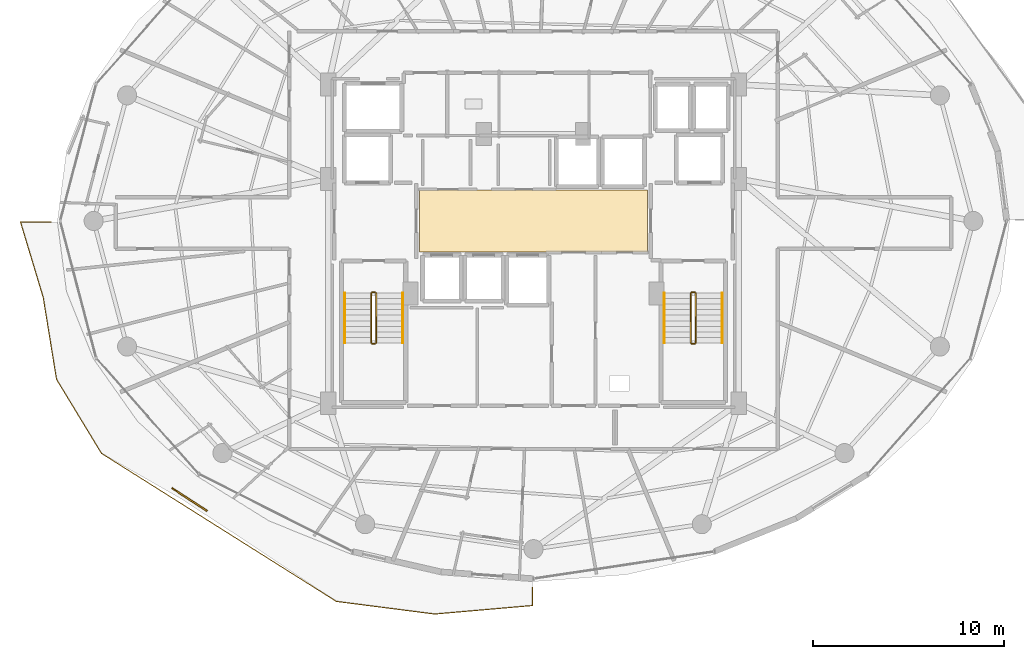
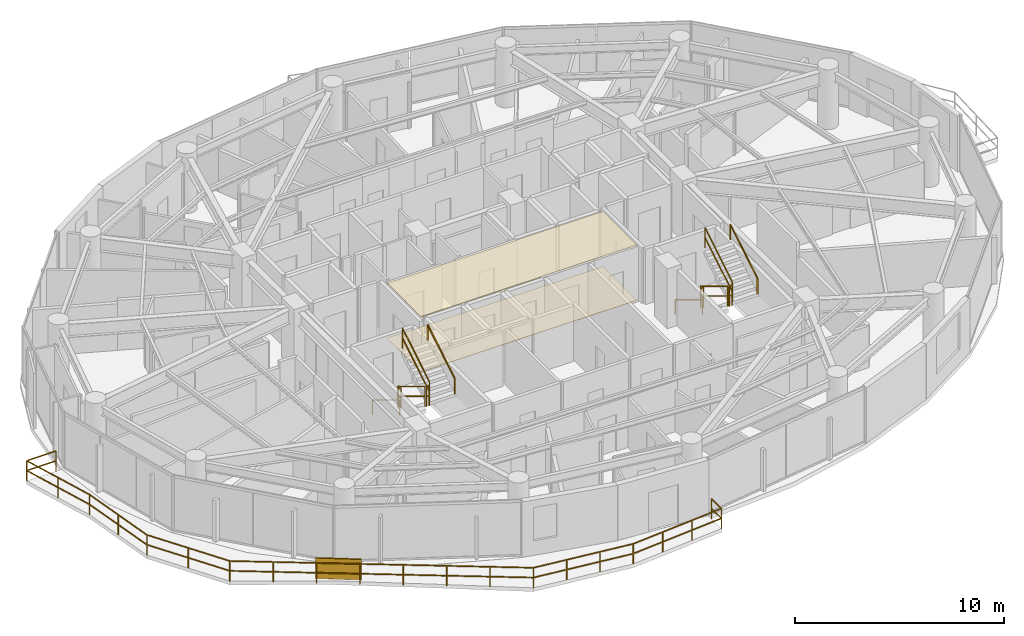
# One storey, part 26 of 28: 14 railings, 2 coverings, 1 shading device.
"""IFC4 building model written with IfcOpenShell, lengths in metres."""

from ifc_helpers import new_model, si_unit, direction, frame, origin, origin_2d, place, context, subcontext, project, spatial, polyline, rectangle, outline, extrude, material, layer, layer_set, type_object, element, save


model = new_model("IFC4")

# Units and contexts
model_context = context("Model", 3, precision=1e-05, world=origin(), true_north=direction((0.0, 1.0)))
body_context = subcontext(model_context, "Body", "Model", "MODEL_VIEW")
ifc_project = project(units=[si_unit("LENGTHUNIT", "METRE"), si_unit("AREAUNIT", "SQUARE_METRE"), si_unit("VOLUMEUNIT", "CUBIC_METRE"), si_unit("PLANEANGLEUNIT", "RADIAN"), si_unit("MASSUNIT", "GRAM", prefix="KILO")], contexts=[model_context])

# Site, building, storey
site_placement = place(None, origin())
site = spatial("IfcSite", under=ifc_project, at=site_placement, CompositionType="ELEMENT")
building_placement = place(site_placement, origin())
building = spatial("IfcBuilding", under=site, at=building_placement, Name="Vorneva Point Tower", CompositionType="ELEMENT")
storey_placement = place(building_placement, frame((0.0, 0.0, 143.10009765625)))
storey = spatial("IfcBuildingStorey", under=building, at=storey_placement, Name="L38", CompositionType="ELEMENT", Elevation=143.10009765625)

# Coverings
ifc_material_1 = material(Name="Perforated acoustic aluminium baffle ceiling", Category="aluminium")
ifc_layer_1 = layer(ifc_material_1, 0.030029296875)
ifc_layer_set_1 = layer_set([ifc_layer_1], Name="Perforated acoustic aluminium baffle ceiling")
covering_type_1 = type_object("IfcCoveringType", Name="COV-CEIL-BAF", PredefinedType="CEILING", material=ifc_layer_set_1)
covering_1_placement = place(storey_placement, frame((0.0, 0.0, 3.2099609375)))
element("IfcCovering", 1, at=covering_1_placement, inside=storey, type_object=covering_type_1, Name="L38 Lift Lobby Acoustic Baffle Ceiling", PredefinedType="CEILING", context=body_context, shape_type="SweptSolid", body=[
    extrude(outline(polyline([(32.02001953125, 24.3701171875), (43.97998046875, 24.3701171875), (43.97998046875, 27.6298828125), (32.02001953125, 27.6298828125), (32.02001953125, 24.3701171875)])), origin(), (0.0, 0.0, 1.0), 0.034912109375),
])
ifc_material_2 = material(Name="Acoustic wool hospitality carpet", Category="textile")
ifc_layer_2 = layer(ifc_material_2, 0.01806640625)
ifc_layer_set_2 = layer_set([ifc_layer_2], Name="Acoustic wool hospitality carpet")
covering_type_2 = type_object("IfcCoveringType", Name="COV-FLR-CRP", PredefinedType="FLOORING", material=ifc_layer_set_2)
covering_2_placement = place(storey_placement, frame((0.0, 0.0, -0.005126953125)))
element("IfcCovering", 2, at=covering_2_placement, inside=storey, type_object=covering_type_2, Name="L38 Lift Lobby Floor Finish", PredefinedType="FLOORING", context=body_context, shape_type="SweptSolid", body=[
    extrude(outline(polyline([(32.02001953125, 24.3701171875), (43.97998046875, 24.3701171875), (43.97998046875, 27.6298828125), (32.02001953125, 27.6298828125), (32.02001953125, 24.3701171875)])), origin(), (0.0, 0.0, 1.0), 0.02294921875),
])

# Railings
ifc_material_3 = material(Name="Pale anodised aluminium", Category="aluminium")
railing_type_1 = type_object("IfcRailingType", Name="RL-BAL-1200", PredefinedType="BALUSTRADE", material=ifc_material_3)
railing_1_placement = place(storey_placement, frame((37.949951171875, 5.845703125, 0.0)))
element("IfcRailing", 3, at=railing_1_placement, inside=storey, type_object=railing_type_1, Name="L38 Wave Balcony Balustrade SW.1", PredefinedType="BALUSTRADE", context=body_context, shape_type="SweptSolid", body=[
    extrude(rectangle(XDim=0.048095703125, YDim=0.048095703125, at=origin_2d()), frame((0.0, 0.0, 1.17578125), z_axis=(0.0, 1.0, 0.0), x_axis=(-1.0, 0.0, 0.0)), (0.0, 0.0, 1.0), 0.93701171875),
    extrude(rectangle(XDim=0.048095703125, YDim=0.048095703125, at=origin_2d()), frame((0.0, 0.0, 0.60009765625), z_axis=(0.0, 1.0, 0.0), x_axis=(-1.0, 0.0, 0.0)), (0.0, 0.0, 1.0), 0.93701171875),
    extrude(rectangle(XDim=0.0419921875, YDim=0.0419921875, at=origin_2d()), origin(), (0.0, 0.0, 1.0), 1.15185546875),
    extrude(rectangle(XDim=0.0419921875, YDim=0.0419921875, at=origin_2d()), frame((0.0, 0.93701171875, 0.0)), (0.0, 0.0, 1.0), 1.15185546875),
])
railing_2_placement = place(storey_placement, frame((12.73388671875, 25.949951171875, 0.0)))
element("IfcRailing", 4, at=railing_2_placement, inside=storey, type_object=railing_type_1, Name="L38 Wave Balcony Balustrade SW.2", PredefinedType="BALUSTRADE", context=body_context, shape_type="SweptSolid", body=[
    extrude(rectangle(XDim=0.048095703125, YDim=0.048095703125, at=origin_2d()), frame((0.0, 0.0, 1.17578125), z_axis=(-1.0, 0.0, 0.0), x_axis=(0.0, -1.0, 0.0)), (0.0, 0.0, 1.0), 1.618896484375),
    extrude(rectangle(XDim=0.048095703125, YDim=0.048095703125, at=origin_2d()), frame((0.0, 0.0, 0.60009765625), z_axis=(-1.0, 0.0, 0.0), x_axis=(0.0, -1.0, 0.0)), (0.0, 0.0, 1.0), 1.618896484375),
    extrude(rectangle(XDim=0.048095703125, YDim=0.048095703125, at=origin_2d()), frame((-1.618896484375, 0.0, 1.17578125), z_axis=(0.28845305272, -0.957494039865, 0.0), x_axis=(0.957494039865, 0.28845305272, 0.0)), (0.0, 0.0, 1.0), 4.1337890625),
    extrude(rectangle(XDim=0.048095703125, YDim=0.048095703125, at=origin_2d()), frame((-1.618896484375, 0.0, 0.60009765625), z_axis=(0.28845305272, -0.957494039865, 0.0), x_axis=(0.957494039865, 0.28845305272, 0.0)), (0.0, 0.0, 1.0), 4.1337890625),
    extrude(rectangle(XDim=0.048095703125, YDim=0.048095703125, at=origin_2d()), frame((-0.426513671875, -3.9580078125, 1.17578125), z_axis=(0.160142185803, -0.987093957193, 0.0), x_axis=(0.987093957193, 0.160142185803, 0.0)), (0.0, 0.0, 1.0), 4.344970703125),
    extrude(rectangle(XDim=0.048095703125, YDim=0.048095703125, at=origin_2d()), frame((-0.426513671875, -3.9580078125, 0.60009765625), z_axis=(0.160142185803, -0.987093957193, 0.0), x_axis=(0.987093957193, 0.160142185803, 0.0)), (0.0, 0.0, 1.0), 4.344970703125),
    extrude(rectangle(XDim=0.048095703125, YDim=0.048095703125, at=origin_2d()), frame((0.269287109375, -8.246826171875, 1.17578125), z_axis=(0.518660697508, -0.854980164016, 0.0), x_axis=(0.854980164016, 0.518660697508, 0.0)), (0.0, 0.0, 1.0), 4.536376953125),
    extrude(rectangle(XDim=0.048095703125, YDim=0.048095703125, at=origin_2d()), frame((0.269287109375, -8.246826171875, 0.60009765625), z_axis=(0.518660697508, -0.854980164016, 0.0), x_axis=(0.854980164016, 0.518660697508, 0.0)), (0.0, 0.0, 1.0), 4.536376953125),
    extrude(rectangle(XDim=0.048095703125, YDim=0.048095703125, at=origin_2d()), frame((2.6220703125, -12.125244140625, 1.17578125), z_axis=(0.846000083638, -0.533182762742, 0.0), x_axis=(0.533182762742, 0.846000083638, 0.0)), (0.0, 0.0, 1.0), 14.56103515625),
    extrude(rectangle(XDim=0.048095703125, YDim=0.048095703125, at=origin_2d()), frame((2.6220703125, -12.125244140625, 0.60009765625), z_axis=(0.846000083638, -0.533182762742, 0.0), x_axis=(0.533182762742, 0.846000083638, 0.0)), (0.0, 0.0, 1.0), 14.56103515625),
    extrude(rectangle(XDim=0.048095703125, YDim=0.048095703125, at=origin_2d()), frame((14.940673828125, -19.888916015625, 1.17578125), z_axis=(0.991850899775, -0.127404052585, 0.0), x_axis=(0.127404052585, 0.991850899775, 0.0)), (0.0, 0.0, 1.0), 5.189208984375),
    extrude(rectangle(XDim=0.048095703125, YDim=0.048095703125, at=origin_2d()), frame((14.940673828125, -19.888916015625, 0.60009765625), z_axis=(0.991850899775, -0.127404052585, 0.0), x_axis=(0.127404052585, 0.991850899775, 0.0)), (0.0, 0.0, 1.0), 5.189208984375),
    extrude(rectangle(XDim=0.048095703125, YDim=0.048095703125, at=origin_2d()), frame((20.087646484375, -20.550048828125, 1.17578125), z_axis=(0.996243079237, 0.086600964614, 0.0), x_axis=(-0.086600964614, 0.996243079237, 0.0)), (0.0, 0.0, 1.0), 5.147705078125),
    extrude(rectangle(XDim=0.048095703125, YDim=0.048095703125, at=origin_2d()), frame((20.087646484375, -20.550048828125, 0.60009765625), z_axis=(0.996243079237, 0.086600964614, 0.0), x_axis=(-0.086600964614, 0.996243079237, 0.0)), (0.0, 0.0, 1.0), 5.147705078125),
    extrude(rectangle(XDim=0.0419921875, YDim=0.0419921875, at=origin_2d()), origin(), (0.0, 0.0, 1.0), 1.15185546875),
    extrude(rectangle(XDim=0.0419921875, YDim=0.0419921875, at=origin_2d()), frame((-1.618896484375, 0.0, 0.0)), (0.0, 0.0, 1.0), 1.15185546875),
    extrude(rectangle(XDim=0.0419921875, YDim=0.0419921875, at=origin_2d()), frame((-1.022705078125, -1.97900390625, 0.0)), (0.0, 0.0, 1.0), 1.15185546875),
    extrude(rectangle(XDim=0.0419921875, YDim=0.0419921875, at=origin_2d()), frame((-0.426513671875, -3.9580078125, 0.0)), (0.0, 0.0, 1.0), 1.15185546875),
    extrude(rectangle(XDim=0.0419921875, YDim=0.0419921875, at=origin_2d()), frame((-0.07861328125, -6.1025390625, 0.0)), (0.0, 0.0, 1.0), 1.15185546875),
    extrude(rectangle(XDim=0.0419921875, YDim=0.0419921875, at=origin_2d()), frame((0.269287109375, -8.246826171875, 0.0)), (0.0, 0.0, 1.0), 1.15185546875),
    extrude(rectangle(XDim=0.0419921875, YDim=0.0419921875, at=origin_2d()), frame((1.44580078125, -10.18603515625, 0.0)), (0.0, 0.0, 1.0), 1.15185546875),
    extrude(rectangle(XDim=0.0419921875, YDim=0.0419921875, at=origin_2d()), frame((2.6220703125, -12.125244140625, 0.0)), (0.0, 0.0, 1.0), 1.15185546875),
    extrude(rectangle(XDim=0.0419921875, YDim=0.0419921875, at=origin_2d()), frame((4.3818359375, -13.234375, 0.0)), (0.0, 0.0, 1.0), 1.15185546875),
    extrude(rectangle(XDim=0.0419921875, YDim=0.0419921875, at=origin_2d()), frame((6.1416015625, -14.343505859375, 0.0)), (0.0, 0.0, 1.0), 1.15185546875),
    extrude(rectangle(XDim=0.0419921875, YDim=0.0419921875, at=origin_2d()), frame((7.9013671875, -15.45263671875, 0.0)), (0.0, 0.0, 1.0), 1.15185546875),
    extrude(rectangle(XDim=0.0419921875, YDim=0.0419921875, at=origin_2d()), frame((9.661376953125, -16.5615234375, 0.0)), (0.0, 0.0, 1.0), 1.15185546875),
    extrude(rectangle(XDim=0.0419921875, YDim=0.0419921875, at=origin_2d()), frame((11.421142578125, -17.670654296875, 0.0)), (0.0, 0.0, 1.0), 1.15185546875),
    extrude(rectangle(XDim=0.0419921875, YDim=0.0419921875, at=origin_2d()), frame((13.180908203125, -18.77978515625, 0.0)), (0.0, 0.0, 1.0), 1.15185546875),
    extrude(rectangle(XDim=0.0419921875, YDim=0.0419921875, at=origin_2d()), frame((14.940673828125, -19.888916015625, 0.0)), (0.0, 0.0, 1.0), 1.15185546875),
    extrude(rectangle(XDim=0.0419921875, YDim=0.0419921875, at=origin_2d()), frame((16.65625, -20.109375, 0.0)), (0.0, 0.0, 1.0), 1.15185546875),
    extrude(rectangle(XDim=0.0419921875, YDim=0.0419921875, at=origin_2d()), frame((18.3720703125, -20.32958984375, 0.0)), (0.0, 0.0, 1.0), 1.15185546875),
    extrude(rectangle(XDim=0.0419921875, YDim=0.0419921875, at=origin_2d()), frame((20.087646484375, -20.550048828125, 0.0)), (0.0, 0.0, 1.0), 1.15185546875),
    extrude(rectangle(XDim=0.0419921875, YDim=0.0419921875, at=origin_2d()), frame((21.797119140625, -20.4013671875, 0.0)), (0.0, 0.0, 1.0), 1.15185546875),
    extrude(rectangle(XDim=0.0419921875, YDim=0.0419921875, at=origin_2d()), frame((23.506591796875, -20.2529296875, 0.0)), (0.0, 0.0, 1.0), 1.15185546875),
    extrude(rectangle(XDim=0.0419921875, YDim=0.0419921875, at=origin_2d()), frame((25.216064453125, -20.104248046875, 0.0)), (0.0, 0.0, 1.0), 1.15185546875),
])
ifc_material_4 = material(Name="Brushed stainless steel S304", Category="steel")
railing_type_2 = type_object("IfcRailingType", Name="RL-HND-920", PredefinedType="HANDRAIL", material=ifc_material_4)
railing_3_placement = place(storey_placement, frame((28.10009765625, 22.219970703125, 0.1748046875)))
element("IfcRailing", 5, at=railing_3_placement, inside=storey, type_object=railing_type_2, Name="L38 ST1 stair handrail 1", PredefinedType="HANDRAIL", context=body_context, shape_type="SweptSolid", body=[
    extrude(rectangle(XDim=0.048095703125, YDim=0.048095703125, at=origin_2d()), frame((0.0, 0.0, 0.8759765625), z_axis=(0.0, -0.856147343639, 0.516731773728), x_axis=(1.0, 0.0, 0.0)), (0.0, 0.0, 1.0), 3.04833984375),
    extrude(rectangle(XDim=0.0419921875, YDim=0.0419921875, at=origin_2d()), origin(), (0.0, 0.0, 1.0), 0.851806640625),
    extrude(rectangle(XDim=0.0419921875, YDim=0.0419921875, at=origin_2d()), frame((0.0, -2.60986328125, 1.5751953125)), (0.0, 0.0, 1.0), 0.851806640625),
])
railing_4_placement = place(storey_placement, frame((31.14990234375, 19.610107421875, 1.9248046875)))
element("IfcRailing", 6, at=railing_4_placement, inside=storey, type_object=railing_type_2, Name="L38 ST1 stair handrail 2", PredefinedType="HANDRAIL", context=body_context, shape_type="SweptSolid", body=[
    extrude(rectangle(XDim=0.048095703125, YDim=0.048095703125, at=origin_2d()), frame((0.0, 0.0, 0.8759765625), z_axis=(0.0, 0.856147343639, 0.516731773728), x_axis=(-1.0, 0.0, 0.0)), (0.0, 0.0, 1.0), 3.04833984375),
    extrude(rectangle(XDim=0.0419921875, YDim=0.0419921875, at=origin_2d()), origin(), (0.0, 0.0, 1.0), 0.851806640625),
    extrude(rectangle(XDim=0.0419921875, YDim=0.0419921875, at=origin_2d()), frame((0.0, 2.60986328125, 1.5751953125)), (0.0, 0.0, 1.0), 0.851806640625),
])
railing_5_placement = place(storey_placement, frame((44.85009765625, 22.219970703125, 0.1748046875)))
element("IfcRailing", 7, at=railing_5_placement, inside=storey, type_object=railing_type_2, Name="L38 ST2 stair handrail 1", PredefinedType="HANDRAIL", context=body_context, shape_type="SweptSolid", body=[
    extrude(rectangle(XDim=0.048095703125, YDim=0.048095703125, at=origin_2d()), frame((0.0, 0.0, 0.8759765625), z_axis=(0.0, -0.856147343639, 0.516731773728), x_axis=(1.0, 0.0, 0.0)), (0.0, 0.0, 1.0), 3.04833984375),
    extrude(rectangle(XDim=0.0419921875, YDim=0.0419921875, at=origin_2d()), origin(), (0.0, 0.0, 1.0), 0.851806640625),
    extrude(rectangle(XDim=0.0419921875, YDim=0.0419921875, at=origin_2d()), frame((0.0, -2.60986328125, 1.5751953125)), (0.0, 0.0, 1.0), 0.851806640625),
])
railing_6_placement = place(storey_placement, frame((47.89990234375, 19.610107421875, 1.9248046875)))
element("IfcRailing", 8, at=railing_6_placement, inside=storey, type_object=railing_type_2, Name="L38 ST2 stair handrail 2", PredefinedType="HANDRAIL", context=body_context, shape_type="SweptSolid", body=[
    extrude(rectangle(XDim=0.048095703125, YDim=0.048095703125, at=origin_2d()), frame((0.0, 0.0, 0.8759765625), z_axis=(0.0, 0.856147343639, 0.516731773728), x_axis=(-1.0, 0.0, 0.0)), (0.0, 0.0, 1.0), 3.04833984375),
    extrude(rectangle(XDim=0.0419921875, YDim=0.0419921875, at=origin_2d()), origin(), (0.0, 0.0, 1.0), 0.851806640625),
    extrude(rectangle(XDim=0.0419921875, YDim=0.0419921875, at=origin_2d()), frame((0.0, 2.60986328125, 1.5751953125)), (0.0, 0.0, 1.0), 0.851806640625),
])
railing_type_3 = type_object("IfcRailingType", Name="RL-STG-1100", PredefinedType="GUARDRAIL", material=ifc_material_4)
railing_7_placement = place(storey_placement, frame((29.5, 22.219970703125, 0.1748046875)))
element("IfcRailing", 9, at=railing_7_placement, inside=storey, type_object=railing_type_3, Name="L38 ST1 stair guard 1", PredefinedType="GUARDRAIL", context=body_context, shape_type="SweptSolid", body=[
    extrude(rectangle(XDim=0.048095703125, YDim=0.048095703125, at=origin_2d()), frame((0.0, 0.0, 1.17578125), z_axis=(0.0, -0.856147343639, 0.516731773728), x_axis=(1.0, 0.0, 0.0)), (0.0, 0.0, 1.0), 3.04833984375),
    extrude(rectangle(XDim=0.048095703125, YDim=0.048095703125, at=origin_2d()), frame((0.0, 0.0, 0.60009765625), z_axis=(0.0, -0.856147343639, 0.516731773728), x_axis=(1.0, 0.0, 0.0)), (0.0, 0.0, 1.0), 3.04833984375),
    extrude(rectangle(XDim=0.0419921875, YDim=0.0419921875, at=origin_2d()), origin(), (0.0, 0.0, 1.0), 1.15185546875),
    extrude(rectangle(XDim=0.0419921875, YDim=0.0419921875, at=origin_2d()), frame((0.0, -2.60986328125, 1.5751953125)), (0.0, 0.0, 1.0), 1.15185546875),
])
railing_8_placement = place(storey_placement, frame((29.550048828125, 19.56005859375, 1.75)))
element("IfcRailing", 10, at=railing_8_placement, inside=storey, type_object=railing_type_3, Name="L38 ST1 stair guard 2", PredefinedType="GUARDRAIL", context=body_context, shape_type="SweptSolid", body=[
    extrude(rectangle(XDim=0.048095703125, YDim=0.048095703125, at=origin_2d()), frame((0.0, 0.0, 1.17578125), z_axis=(1.0, 0.0, 0.0), x_axis=(0.0, 1.0, 0.0)), (0.0, 0.0, 1.0), 0.14990234375),
    extrude(rectangle(XDim=0.048095703125, YDim=0.048095703125, at=origin_2d()), frame((0.0, 0.0, 0.60009765625), z_axis=(1.0, 0.0, 0.0), x_axis=(0.0, 1.0, 0.0)), (0.0, 0.0, 1.0), 0.14990234375),
    extrude(rectangle(XDim=0.0419921875, YDim=0.0419921875, at=origin_2d()), origin(), (0.0, 0.0, 1.0), 1.15185546875),
    extrude(rectangle(XDim=0.0419921875, YDim=0.0419921875, at=origin_2d()), frame((0.14990234375, 0.0, 0.0)), (0.0, 0.0, 1.0), 1.15185546875),
])
railing_9_placement = place(storey_placement, frame((29.75, 19.610107421875, 1.9248046875)))
element("IfcRailing", 11, at=railing_9_placement, inside=storey, type_object=railing_type_3, Name="L38 ST1 stair guard 3", PredefinedType="GUARDRAIL", context=body_context, shape_type="SweptSolid", body=[
    extrude(rectangle(XDim=0.048095703125, YDim=0.048095703125, at=origin_2d()), frame((0.0, 0.0, 1.17578125), z_axis=(0.0, 0.856147343639, 0.516731773728), x_axis=(-1.0, 0.0, 0.0)), (0.0, 0.0, 1.0), 3.04833984375),
    extrude(rectangle(XDim=0.048095703125, YDim=0.048095703125, at=origin_2d()), frame((0.0, 0.0, 0.60009765625), z_axis=(0.0, 0.856147343639, 0.516731773728), x_axis=(-1.0, 0.0, 0.0)), (0.0, 0.0, 1.0), 3.04833984375),
    extrude(rectangle(XDim=0.0419921875, YDim=0.0419921875, at=origin_2d()), origin(), (0.0, 0.0, 1.0), 1.15185546875),
    extrude(rectangle(XDim=0.0419921875, YDim=0.0419921875, at=origin_2d()), frame((0.0, 2.60986328125, 1.5751953125)), (0.0, 0.0, 1.0), 1.15185546875),
])
railing_10_placement = place(storey_placement, frame((29.550048828125, 22.27001953125, 0.0)))
element("IfcRailing", 12, at=railing_10_placement, inside=storey, type_object=railing_type_3, Name="L38 ST1 stair guard 4", PredefinedType="GUARDRAIL", context=body_context, shape_type="SweptSolid", body=[
    extrude(rectangle(XDim=0.048095703125, YDim=0.048095703125, at=origin_2d()), frame((0.0, 0.0, 1.17578125), z_axis=(1.0, 0.0, 0.0), x_axis=(0.0, 1.0, 0.0)), (0.0, 0.0, 1.0), 0.14990234375),
    extrude(rectangle(XDim=0.048095703125, YDim=0.048095703125, at=origin_2d()), frame((0.0, 0.0, 0.60009765625), z_axis=(1.0, 0.0, 0.0), x_axis=(0.0, 1.0, 0.0)), (0.0, 0.0, 1.0), 0.14990234375),
    extrude(rectangle(XDim=0.0419921875, YDim=0.0419921875, at=origin_2d()), origin(), (0.0, 0.0, 1.0), 1.15185546875),
    extrude(rectangle(XDim=0.0419921875, YDim=0.0419921875, at=origin_2d()), frame((0.14990234375, 0.0, 0.0)), (0.0, 0.0, 1.0), 1.15185546875),
])
railing_11_placement = place(storey_placement, frame((46.25, 22.219970703125, 0.1748046875)))
element("IfcRailing", 13, at=railing_11_placement, inside=storey, type_object=railing_type_3, Name="L38 ST2 stair guard 1", PredefinedType="GUARDRAIL", context=body_context, shape_type="SweptSolid", body=[
    extrude(rectangle(XDim=0.048095703125, YDim=0.048095703125, at=origin_2d()), frame((0.0, 0.0, 1.17578125), z_axis=(0.0, -0.856147343639, 0.516731773728), x_axis=(1.0, 0.0, 0.0)), (0.0, 0.0, 1.0), 3.04833984375),
    extrude(rectangle(XDim=0.048095703125, YDim=0.048095703125, at=origin_2d()), frame((0.0, 0.0, 0.60009765625), z_axis=(0.0, -0.856147343639, 0.516731773728), x_axis=(1.0, 0.0, 0.0)), (0.0, 0.0, 1.0), 3.04833984375),
    extrude(rectangle(XDim=0.0419921875, YDim=0.0419921875, at=origin_2d()), origin(), (0.0, 0.0, 1.0), 1.15185546875),
    extrude(rectangle(XDim=0.0419921875, YDim=0.0419921875, at=origin_2d()), frame((0.0, -2.60986328125, 1.5751953125)), (0.0, 0.0, 1.0), 1.15185546875),
])
railing_12_placement = place(storey_placement, frame((46.300048828125, 19.56005859375, 1.75)))
element("IfcRailing", 14, at=railing_12_placement, inside=storey, type_object=railing_type_3, Name="L38 ST2 stair guard 2", PredefinedType="GUARDRAIL", context=body_context, shape_type="SweptSolid", body=[
    extrude(rectangle(XDim=0.048095703125, YDim=0.048095703125, at=origin_2d()), frame((0.0, 0.0, 1.17578125), z_axis=(1.0, 0.0, 0.0), x_axis=(0.0, 1.0, 0.0)), (0.0, 0.0, 1.0), 0.14990234375),
    extrude(rectangle(XDim=0.048095703125, YDim=0.048095703125, at=origin_2d()), frame((0.0, 0.0, 0.60009765625), z_axis=(1.0, 0.0, 0.0), x_axis=(0.0, 1.0, 0.0)), (0.0, 0.0, 1.0), 0.14990234375),
    extrude(rectangle(XDim=0.0419921875, YDim=0.0419921875, at=origin_2d()), origin(), (0.0, 0.0, 1.0), 1.15185546875),
    extrude(rectangle(XDim=0.0419921875, YDim=0.0419921875, at=origin_2d()), frame((0.14990234375, 0.0, 0.0)), (0.0, 0.0, 1.0), 1.15185546875),
])
railing_13_placement = place(storey_placement, frame((46.5, 19.610107421875, 1.9248046875)))
element("IfcRailing", 15, at=railing_13_placement, inside=storey, type_object=railing_type_3, Name="L38 ST2 stair guard 3", PredefinedType="GUARDRAIL", context=body_context, shape_type="SweptSolid", body=[
    extrude(rectangle(XDim=0.048095703125, YDim=0.048095703125, at=origin_2d()), frame((0.0, 0.0, 1.17578125), z_axis=(0.0, 0.856147343639, 0.516731773728), x_axis=(-1.0, 0.0, 0.0)), (0.0, 0.0, 1.0), 3.04833984375),
    extrude(rectangle(XDim=0.048095703125, YDim=0.048095703125, at=origin_2d()), frame((0.0, 0.0, 0.60009765625), z_axis=(0.0, 0.856147343639, 0.516731773728), x_axis=(-1.0, 0.0, 0.0)), (0.0, 0.0, 1.0), 3.04833984375),
    extrude(rectangle(XDim=0.0419921875, YDim=0.0419921875, at=origin_2d()), origin(), (0.0, 0.0, 1.0), 1.15185546875),
    extrude(rectangle(XDim=0.0419921875, YDim=0.0419921875, at=origin_2d()), frame((0.0, 2.60986328125, 1.5751953125)), (0.0, 0.0, 1.0), 1.15185546875),
])
railing_14_placement = place(storey_placement, frame((46.300048828125, 22.27001953125, 0.0)))
element("IfcRailing", 16, at=railing_14_placement, inside=storey, type_object=railing_type_3, Name="L38 ST2 stair guard 4", PredefinedType="GUARDRAIL", context=body_context, shape_type="SweptSolid", body=[
    extrude(rectangle(XDim=0.048095703125, YDim=0.048095703125, at=origin_2d()), frame((0.0, 0.0, 1.17578125), z_axis=(1.0, 0.0, 0.0), x_axis=(0.0, 1.0, 0.0)), (0.0, 0.0, 1.0), 0.14990234375),
    extrude(rectangle(XDim=0.048095703125, YDim=0.048095703125, at=origin_2d()), frame((0.0, 0.0, 0.60009765625), z_axis=(1.0, 0.0, 0.0), x_axis=(0.0, 1.0, 0.0)), (0.0, 0.0, 1.0), 0.14990234375),
    extrude(rectangle(XDim=0.0419921875, YDim=0.0419921875, at=origin_2d()), origin(), (0.0, 0.0, 1.0), 1.15185546875),
    extrude(rectangle(XDim=0.0419921875, YDim=0.0419921875, at=origin_2d()), frame((0.14990234375, 0.0, 0.0)), (0.0, 0.0, 1.0), 1.15185546875),
])

# Shading device
shading_device_type = type_object("IfcShadingDeviceType", Name="SHD-JAL-1200", PredefinedType="JALOUSIE", material=ifc_material_3)
shading_device_placement = place(storey_placement, frame((19.97705078125, 11.40087890625, -0.02001953125), z_axis=(0.0, 0.0, 1.0), x_axis=(0.837165473414, -0.546949696154, 0.0)))
element("IfcShadingDevice", 17, at=shading_device_placement, inside=storey, type_object=shading_device_type, Name="L38 Balcony Vertical-Greenery Planter Screen SW.2", PredefinedType="JALOUSIE", context=body_context, shape_type="SweptSolid", body=[
    extrude(rectangle(XDim=2.199951171875, YDim=0.080078125, at=origin_2d()), origin(), (0.0, 0.0, 1.0), 1.199951171875),
])

save(model, "model.ifc")
